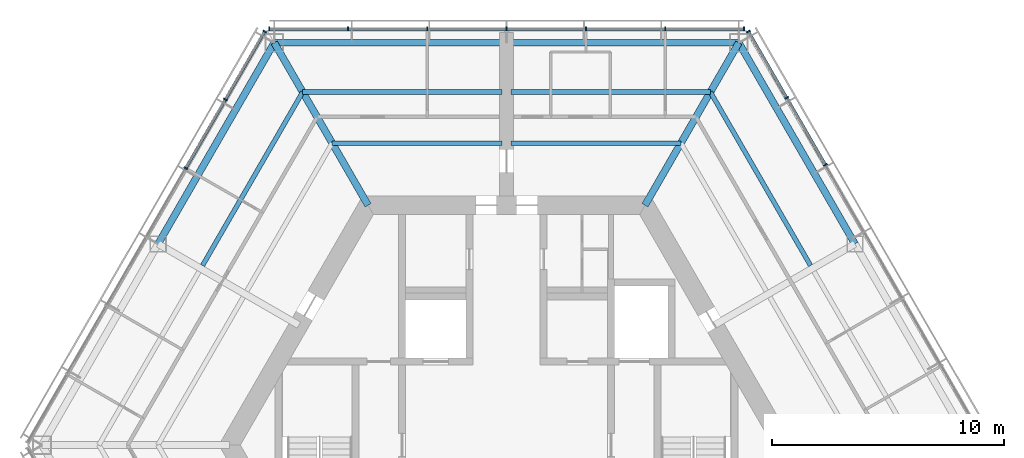
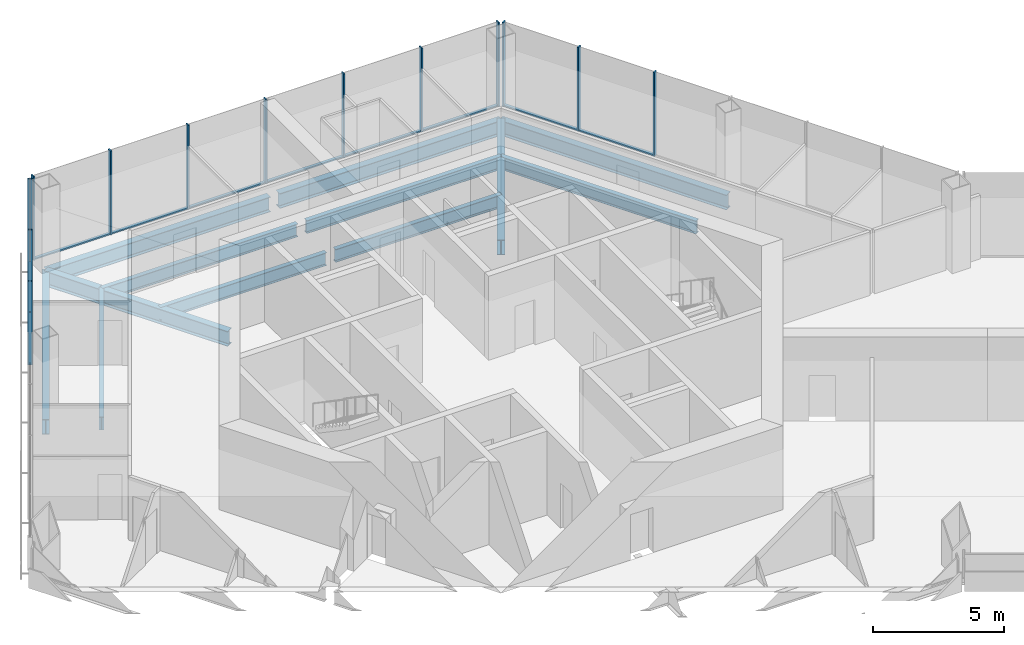
# One storey, part 5 of 13: 23 members, 12 beams, 3 elements without a shape of their own.
"""IFC4 building model written with IfcOpenShell, lengths in metres."""

from ifc_helpers import new_model, si_unit, direction, frame, origin, origin_2d, place, context, subcontext, project, spatial, rectangle, i_section, extrude, material, material_profile, profile_set, type_object, element, aggregate, save


model = new_model("IFC4")

# Units and contexts
model_context = context("Model", 3, precision=1e-05, world=origin(), true_north=direction((0.0, 1.0)))
body_context = subcontext(model_context, "Body", "Model", "MODEL_VIEW")
ifc_project = project(units=[si_unit("LENGTHUNIT", "METRE"), si_unit("AREAUNIT", "SQUARE_METRE"), si_unit("VOLUMEUNIT", "CUBIC_METRE"), si_unit("PLANEANGLEUNIT", "RADIAN"), si_unit("MASSUNIT", "GRAM", prefix="KILO")], contexts=[model_context])

# Site, building, storey
site_placement = place(None, origin())
site = spatial("IfcSite", under=ifc_project, at=site_placement, CompositionType="ELEMENT")
building_placement = place(site_placement, origin())
building = spatial("IfcBuilding", under=site, at=building_placement, Name="Kasaneha Research Tower", CompositionType="ELEMENT")
storey_placement = place(building_placement, frame((0.0, 0.0, 283.0)))
storey = spatial("IfcBuildingStorey", under=building, at=storey_placement, Name="L71", CompositionType="ELEMENT", Elevation=283.0)

# Beams
ifc_material_1 = material(Name="Steel SN490B", Category="steel")
ifc_material_profile_1 = material_profile(ifc_material_1, i_section(OverallWidth=0.199951171875, OverallDepth=0.60009765625, WebThickness=0.010986328125, FlangeThickness=0.01708984375, FilletRadius=0.012939453125, at=origin_2d()), Name="H-600x200x11x17")
ifc_profile_set_1 = profile_set([ifc_material_profile_1], Name="Steel SN490B")
beam_type_1 = type_object("IfcBeamType", Name="B1-3 secondary beam H-600x200x11x17", PredefinedType="JOIST", material=ifc_profile_set_1)
beam_1_placement = place(storey_placement, frame((8.775634765625, 15.199951171875, -0.449951171875), z_axis=(0.500017275495, -0.866015429543, 0.0), x_axis=(0.866015429543, 0.500017275495, 0.0)))
element("IfcBeam", 1, at=beam_1_placement, inside=storey, type_object=beam_type_1, Name="Secondary beam RS030R2 L71", PredefinedType="JOIST", context=body_context, shape_type="SweptSolid", body=[
    extrude(i_section(OverallWidth=0.199951171875, OverallDepth=0.60009765625, WebThickness=0.010986328125, FlangeThickness=0.01708984375, FilletRadius=0.012939453125, at=origin_2d()), origin(), (0.0, 0.0, 1.0), 8.625732421875),
])
beam_2_placement = place(storey_placement, frame((7.505615234375, 13.0, -0.449951171875), z_axis=(-1.0, 0.0, 0.0), x_axis=(0.0, -1.0, 0.0)))
element("IfcBeam", 2, at=beam_2_placement, inside=storey, type_object=beam_type_1, Name="Secondary beam RS090L1 L71", PredefinedType="JOIST", context=body_context, shape_type="SweptSolid", body=[
    extrude(i_section(OverallWidth=0.199951171875, OverallDepth=0.60009765625, WebThickness=0.010986328125, FlangeThickness=0.01708984375, FilletRadius=0.012939453125, at=origin_2d()), origin(), (0.0, 0.0, 1.0), 7.3056640625),
])
beam_3_placement = place(storey_placement, frame((8.775634765625, 15.199951171875, -0.449951171875), z_axis=(-1.0, 0.0, 0.0), x_axis=(0.0, -1.0, 0.0)))
element("IfcBeam", 3, at=beam_3_placement, inside=storey, type_object=beam_type_1, Name="Secondary beam RS090L2 L71", PredefinedType="JOIST", context=body_context, shape_type="SweptSolid", body=[
    extrude(i_section(OverallWidth=0.199951171875, OverallDepth=0.60009765625, WebThickness=0.010986328125, FlangeThickness=0.01708984375, FilletRadius=0.012939453125, at=origin_2d()), origin(), (0.0, 0.0, 1.0), 8.57568359375),
])
beam_4_placement = place(storey_placement, frame((-7.505615234375, 13.0, -0.449951171875), z_axis=(1.0, 0.0, 0.0), x_axis=(0.0, 1.0, 0.0)))
element("IfcBeam", 4, at=beam_4_placement, inside=storey, type_object=beam_type_1, Name="Secondary beam RS090R1 L71", PredefinedType="JOIST", context=body_context, shape_type="SweptSolid", body=[
    extrude(i_section(OverallWidth=0.199951171875, OverallDepth=0.60009765625, WebThickness=0.010986328125, FlangeThickness=0.01708984375, FilletRadius=0.012939453125, at=origin_2d()), origin(), (0.0, 0.0, 1.0), 7.3056640625),
])
beam_5_placement = place(storey_placement, frame((-8.775634765625, 15.199951171875, -0.449951171875), z_axis=(1.0, 0.0, 0.0), x_axis=(0.0, 1.0, 0.0)))
element("IfcBeam", 5, at=beam_5_placement, inside=storey, type_object=beam_type_1, Name="Secondary beam RS090R2 L71", PredefinedType="JOIST", context=body_context, shape_type="SweptSolid", body=[
    extrude(i_section(OverallWidth=0.199951171875, OverallDepth=0.60009765625, WebThickness=0.010986328125, FlangeThickness=0.01708984375, FilletRadius=0.012939453125, at=origin_2d()), origin(), (0.0, 0.0, 1.0), 8.57568359375),
])
beam_6_placement = place(storey_placement, frame((-8.775634765625, 15.199951171875, -0.449951171875), z_axis=(-0.500017275495, -0.866015429543, 0.0), x_axis=(0.866015429543, -0.500017275495, 0.0)))
element("IfcBeam", 6, at=beam_6_placement, inside=storey, type_object=beam_type_1, Name="Secondary beam RS150L2 L71", PredefinedType="JOIST", context=body_context, shape_type="SweptSolid", body=[
    extrude(i_section(OverallWidth=0.199951171875, OverallDepth=0.60009765625, WebThickness=0.010986328125, FlangeThickness=0.01708984375, FilletRadius=0.012939453125, at=origin_2d()), origin(), (0.0, 0.0, 1.0), 8.625732421875),
])

# Curtain wall, members
ifc_material_2 = material(Name="Glass and aluminium", Category="aluminium")
curtain_wall_type = type_object("IfcCurtainWallType", Name="Crown curtain wall", PredefinedType="USERDEFINED", material=ifc_material_2)
curtain_wall_1_placement = place(storey_placement, origin())
curtain_wall_1 = element("IfcCurtainWall", 7, at=curtain_wall_1_placement, inside=storey, type_object=curtain_wall_type, Name="CW-C L71 run 01a", ObjectType="UNITISED CURTAIN WALL", PredefinedType="USERDEFINED")
ifc_material_3 = material(Name="Aluminium 6063-T6", Category="aluminium")
ifc_material_profile_2 = material_profile(ifc_material_3, rectangle(XDim=0.06005859375, YDim=0.179931640625, at=origin_2d()), Name="CW-C mullion 60x180")
ifc_profile_set_2 = profile_set([ifc_material_profile_2], Name="Aluminium 6063-T6")
member_type_1 = type_object("IfcMemberType", Name="CW-C mullion", PredefinedType="MULLION", material=ifc_profile_set_2)
member_1_placement = place(storey_placement, frame((13.727294921875, 12.064453125, 0.0), z_axis=(0.0, 0.0, 1.0), x_axis=(-0.499999979232, 0.866025415775, 0.0)))
member_1 = element("IfcMember", 8, at=member_1_placement, type_object=member_type_1, Name="CW-C mullion 5", PredefinedType="MULLION", context=body_context, shape_type="SweptSolid", body=[
    extrude(rectangle(XDim=0.06005859375, YDim=0.179931640625, at=origin_2d()), origin(), (0.0, 0.0, 1.0), 3.89990234375),
])
member_2_placement = place(storey_placement, frame((12.061767578125, 14.94921875, 0.0), z_axis=(0.0, 0.0, 1.0), x_axis=(-0.499999979232, 0.866025415775, 0.0)))
member_2 = element("IfcMember", 9, at=member_2_placement, type_object=member_type_1, Name="CW-C mullion 6", PredefinedType="MULLION", context=body_context, shape_type="SweptSolid", body=[
    extrude(rectangle(XDim=0.06005859375, YDim=0.179931640625, at=origin_2d()), origin(), (0.0, 0.0, 1.0), 3.89990234375),
])
member_3_placement = place(storey_placement, frame((10.411376953125, 17.807861328125, 0.0), z_axis=(0.0, 0.0, 1.0), x_axis=(-0.499999979232, 0.866025415775, 0.0)))
member_3 = element("IfcMember", 10, at=member_3_placement, type_object=member_type_1, Name="CW-C mullion 7", PredefinedType="MULLION", context=body_context, shape_type="SweptSolid", body=[
    extrude(rectangle(XDim=0.06005859375, YDim=0.179931640625, at=origin_2d()), origin(), (0.0, 0.0, 1.0), 3.89990234375),
])

curtain_wall_2_placement = place(storey_placement, origin())
curtain_wall_2 = element("IfcCurtainWall", 11, at=curtain_wall_2_placement, inside=storey, type_object=curtain_wall_type, Name="CW-C L71 run 02a", ObjectType="UNITISED CURTAIN WALL", PredefinedType="USERDEFINED")
member_4_placement = place(storey_placement, frame((10.21630859375, 17.92041015625, 0.0), z_axis=(0.0, 0.0, 1.0), x_axis=(-1.0, 0.0, 0.0)))
member_4 = element("IfcMember", 12, at=member_4_placement, type_object=member_type_1, Name="CW-C mullion 1", PredefinedType="MULLION", context=body_context, shape_type="SweptSolid", body=[
    extrude(rectangle(XDim=0.06005859375, YDim=0.179931640625, at=origin_2d()), origin(), (0.0, 0.0, 1.0), 3.89990234375),
])
member_5_placement = place(storey_placement, frame((6.8310546875, 17.92041015625, 0.0), z_axis=(0.0, 0.0, 1.0), x_axis=(-1.0, 0.0, 0.0)))
member_5 = element("IfcMember", 13, at=member_5_placement, type_object=member_type_1, Name="CW-C mullion 2", PredefinedType="MULLION", context=body_context, shape_type="SweptSolid", body=[
    extrude(rectangle(XDim=0.06005859375, YDim=0.179931640625, at=origin_2d()), origin(), (0.0, 0.0, 1.0), 3.89990234375),
])
member_6_placement = place(storey_placement, frame((3.41552734375, 17.92041015625, 0.0), z_axis=(0.0, 0.0, 1.0), x_axis=(-1.0, 0.0, 0.0)))
member_6 = element("IfcMember", 14, at=member_6_placement, type_object=member_type_1, Name="CW-C mullion 3", PredefinedType="MULLION", context=body_context, shape_type="SweptSolid", body=[
    extrude(rectangle(XDim=0.06005859375, YDim=0.179931640625, at=origin_2d()), origin(), (0.0, 0.0, 1.0), 3.89990234375),
])
member_7_placement = place(storey_placement, frame((0.0, 17.92041015625, 0.0), z_axis=(0.0, 0.0, 1.0), x_axis=(-1.0, 0.0, 0.0)))
member_7 = element("IfcMember", 15, at=member_7_placement, type_object=member_type_1, Name="CW-C mullion 4", PredefinedType="MULLION", context=body_context, shape_type="SweptSolid", body=[
    extrude(rectangle(XDim=0.06005859375, YDim=0.179931640625, at=origin_2d()), origin(), (0.0, 0.0, 1.0), 3.89990234375),
])
member_8_placement = place(storey_placement, frame((-3.41552734375, 17.92041015625, 0.0), z_axis=(0.0, 0.0, 1.0), x_axis=(-1.0, 0.0, 0.0)))
member_8 = element("IfcMember", 16, at=member_8_placement, type_object=member_type_1, Name="CW-C mullion 5", PredefinedType="MULLION", context=body_context, shape_type="SweptSolid", body=[
    extrude(rectangle(XDim=0.06005859375, YDim=0.179931640625, at=origin_2d()), origin(), (0.0, 0.0, 1.0), 3.89990234375),
])
member_9_placement = place(storey_placement, frame((-6.8310546875, 17.92041015625, 0.0), z_axis=(0.0, 0.0, 1.0), x_axis=(-1.0, 0.0, 0.0)))
member_9 = element("IfcMember", 17, at=member_9_placement, type_object=member_type_1, Name="CW-C mullion 6", PredefinedType="MULLION", context=body_context, shape_type="SweptSolid", body=[
    extrude(rectangle(XDim=0.06005859375, YDim=0.179931640625, at=origin_2d()), origin(), (0.0, 0.0, 1.0), 3.89990234375),
])
member_10_placement = place(storey_placement, frame((-10.21630859375, 17.92041015625, 0.0), z_axis=(0.0, 0.0, 1.0), x_axis=(-1.0, 0.0, 0.0)))
member_10 = element("IfcMember", 18, at=member_10_placement, type_object=member_type_1, Name="CW-C mullion 7", PredefinedType="MULLION", context=body_context, shape_type="SweptSolid", body=[
    extrude(rectangle(XDim=0.06005859375, YDim=0.179931640625, at=origin_2d()), origin(), (0.0, 0.0, 1.0), 3.89990234375),
])

curtain_wall_3_placement = place(storey_placement, origin())
curtain_wall_3 = element("IfcCurtainWall", 19, at=curtain_wall_3_placement, inside=storey, type_object=curtain_wall_type, Name="CW-C L71 run 03a", ObjectType="UNITISED CURTAIN WALL", PredefinedType="USERDEFINED")
member_11_placement = place(storey_placement, frame((-10.411376953125, 17.807861328125, 0.0), z_axis=(0.0, 0.0, 1.0), x_axis=(-0.499999995722, -0.866025406254, 0.0)))
member_11 = element("IfcMember", 20, at=member_11_placement, type_object=member_type_1, Name="CW-C mullion 1", PredefinedType="MULLION", context=body_context, shape_type="SweptSolid", body=[
    extrude(rectangle(XDim=0.06005859375, YDim=0.179931640625, at=origin_2d()), origin(), (0.0, 0.0, 1.0), 3.89990234375),
])
member_12_placement = place(storey_placement, frame((-12.104248046875, 14.8759765625, 0.0), z_axis=(0.0, 0.0, 1.0), x_axis=(-0.499999995722, -0.866025406254, 0.0)))
member_12 = element("IfcMember", 21, at=member_12_placement, type_object=member_type_1, Name="CW-C mullion 2", PredefinedType="MULLION", context=body_context, shape_type="SweptSolid", body=[
    extrude(rectangle(XDim=0.06005859375, YDim=0.179931640625, at=origin_2d()), origin(), (0.0, 0.0, 1.0), 3.89990234375),
])
member_13_placement = place(storey_placement, frame((-13.811767578125, 11.918212890625, 0.0), z_axis=(0.0, 0.0, 1.0), x_axis=(-0.499999995722, -0.866025406254, 0.0)))
member_13 = element("IfcMember", 22, at=member_13_placement, type_object=member_type_1, Name="CW-C mullion 3", PredefinedType="MULLION", context=body_context, shape_type="SweptSolid", body=[
    extrude(rectangle(XDim=0.06005859375, YDim=0.179931640625, at=origin_2d()), origin(), (0.0, 0.0, 1.0), 3.89990234375),
])

# Member
ifc_material_4 = material(Name="Aluminium 6063-T6", Category="aluminium")
ifc_material_profile_3 = material_profile(ifc_material_4, rectangle(XDim=0.1298828125, YDim=0.06005859375, at=origin_2d()), Name="CW-C transom 130x60")
ifc_profile_set_3 = profile_set([ifc_material_profile_3], Name="Aluminium 6063-T6")
member_type_2 = type_object("IfcMemberType", Name="CW-C transom", PredefinedType="USERDEFINED", material=ifc_profile_set_3)
member_14_placement = place(storey_placement, frame((13.71240234375, 12.090576171875, 0.030029296875), z_axis=(-0.500000270186, 0.866025247793, 0.0), x_axis=(-0.866025247793, -0.500000270186, 0.0)))
member_14 = element("IfcMember", 23, at=member_14_placement, type_object=member_type_2, Name="CW-C transom 5", ObjectType="TRANSOM", PredefinedType="USERDEFINED", context=body_context, shape_type="SweptSolid", body=[
    extrude(rectangle(XDim=0.1298828125, YDim=0.06005859375, at=origin_2d()), origin(), (0.0, 0.0, 1.0), 3.27099609375),
])

member_15_placement = place(storey_placement, frame((12.046875, 14.97509765625, 0.030029296875), z_axis=(-0.499955025697, 0.866051368154, 0.0), x_axis=(-0.866051368154, -0.499955025697, 0.0)))
member_15 = element("IfcMember", 24, at=member_15_placement, type_object=member_type_2, Name="CW-C transom 6", ObjectType="TRANSOM", PredefinedType="USERDEFINED", context=body_context, shape_type="SweptSolid", body=[
    extrude(rectangle(XDim=0.1298828125, YDim=0.06005859375, at=origin_2d()), origin(), (0.0, 0.0, 1.0), 3.240966796875),
])

aggregate(curtain_wall_1, [member_1, member_2, member_3, member_14, member_15])

member_16_placement = place(storey_placement, frame((10.1865234375, 17.92041015625, 0.030029296875), z_axis=(-1.0, 0.0, 0.0), x_axis=(0.0, -1.0, 0.0)))
member_16 = element("IfcMember", 25, at=member_16_placement, type_object=member_type_2, Name="CW-C transom 1", ObjectType="TRANSOM", PredefinedType="USERDEFINED", context=body_context, shape_type="SweptSolid", body=[
    extrude(rectangle(XDim=0.1298828125, YDim=0.06005859375, at=origin_2d()), origin(), (0.0, 0.0, 1.0), 3.32568359375),
])

member_17_placement = place(storey_placement, frame((6.801025390625, 17.92041015625, 0.030029296875), z_axis=(-1.0, 0.0, 0.0), x_axis=(0.0, -1.0, 0.0)))
member_17 = element("IfcMember", 26, at=member_17_placement, type_object=member_type_2, Name="CW-C transom 2", ObjectType="TRANSOM", PredefinedType="USERDEFINED", context=body_context, shape_type="SweptSolid", body=[
    extrude(rectangle(XDim=0.1298828125, YDim=0.06005859375, at=origin_2d()), origin(), (0.0, 0.0, 1.0), 3.35546875),
])

member_18_placement = place(storey_placement, frame((3.385498046875, 17.92041015625, 0.030029296875), z_axis=(-1.0, 0.0, 0.0), x_axis=(0.0, -1.0, 0.0)))
member_18 = element("IfcMember", 27, at=member_18_placement, type_object=member_type_2, Name="CW-C transom 3", ObjectType="TRANSOM", PredefinedType="USERDEFINED", context=body_context, shape_type="SweptSolid", body=[
    extrude(rectangle(XDim=0.1298828125, YDim=0.06005859375, at=origin_2d()), origin(), (0.0, 0.0, 1.0), 3.35546875),
])

member_19_placement = place(storey_placement, frame((-0.030029296875, 17.92041015625, 0.030029296875), z_axis=(-1.0, 0.0, 0.0), x_axis=(0.0, -1.0, 0.0)))
member_19 = element("IfcMember", 28, at=member_19_placement, type_object=member_type_2, Name="CW-C transom 4", ObjectType="TRANSOM", PredefinedType="USERDEFINED", context=body_context, shape_type="SweptSolid", body=[
    extrude(rectangle(XDim=0.1298828125, YDim=0.06005859375, at=origin_2d()), origin(), (0.0, 0.0, 1.0), 3.35546875),
])

member_20_placement = place(storey_placement, frame((-3.445556640625, 17.92041015625, 0.030029296875), z_axis=(-1.0, 0.0, 0.0), x_axis=(0.0, -1.0, 0.0)))
member_20 = element("IfcMember", 29, at=member_20_placement, type_object=member_type_2, Name="CW-C transom 5", ObjectType="TRANSOM", PredefinedType="USERDEFINED", context=body_context, shape_type="SweptSolid", body=[
    extrude(rectangle(XDim=0.1298828125, YDim=0.06005859375, at=origin_2d()), origin(), (0.0, 0.0, 1.0), 3.35546875),
])

member_21_placement = place(storey_placement, frame((-6.86083984375, 17.92041015625, 0.030029296875), z_axis=(-1.0, 0.0, 0.0), x_axis=(0.0, -1.0, 0.0)))
member_21 = element("IfcMember", 30, at=member_21_placement, type_object=member_type_2, Name="CW-C transom 6", ObjectType="TRANSOM", PredefinedType="USERDEFINED", context=body_context, shape_type="SweptSolid", body=[
    extrude(rectangle(XDim=0.1298828125, YDim=0.06005859375, at=origin_2d()), origin(), (0.0, 0.0, 1.0), 3.32568359375),
])

aggregate(curtain_wall_2, [member_4, member_5, member_6, member_7, member_8, member_9, member_10, member_16, member_17, member_18, member_19, member_20, member_21])

member_22_placement = place(storey_placement, frame((-10.426513671875, 17.781982421875, 0.030029296875), z_axis=(-0.49997666526, -0.866038875684, 0.0), x_axis=(0.866038875684, -0.49997666526, 0.0)))
member_22 = element("IfcMember", 31, at=member_22_placement, type_object=member_type_2, Name="CW-C transom 1", ObjectType="TRANSOM", PredefinedType="USERDEFINED", context=body_context, shape_type="SweptSolid", body=[
    extrude(rectangle(XDim=0.1298828125, YDim=0.06005859375, at=origin_2d()), origin(), (0.0, 0.0, 1.0), 3.325439453125),
])

member_23_placement = place(storey_placement, frame((-12.119140625, 14.85009765625, 0.030029296875), z_axis=(-0.499989072476, -0.866031712701, 0.0), x_axis=(0.866031712701, -0.499989072476, 0.0)))
member_23 = element("IfcMember", 32, at=member_23_placement, type_object=member_type_2, Name="CW-C transom 2", ObjectType="TRANSOM", PredefinedType="USERDEFINED", context=body_context, shape_type="SweptSolid", body=[
    extrude(rectangle(XDim=0.1298828125, YDim=0.06005859375, at=origin_2d()), origin(), (0.0, 0.0, 1.0), 3.35546875),
])

aggregate(curtain_wall_3, [member_11, member_12, member_13, member_22, member_23])

# Beams
ifc_material_5 = material(Name="Steel SN490B", Category="steel")
ifc_material_profile_4 = material_profile(ifc_material_5, i_section(OverallWidth=0.300048828125, OverallDepth=0.699951171875, WebThickness=0.012939453125, FlangeThickness=0.02392578125, FilletRadius=0.01806640625, at=origin_2d()), Name="H-700x300x13x24")
ifc_profile_set_4 = profile_set([ifc_material_profile_4], Name="Steel SN490B")
beam_type_2 = type_object("IfcBeamType", Name="G1-3 radial girder H-700x300x13x24", PredefinedType="BEAM", material=ifc_profile_set_4)
for number, where, z_axis, x_axis, name in (
    (33, (5.961181640625, 10.324951171875, -0.5), (0.49999105496, 0.866030568144, 0.0), (-0.866030568144, 0.49999105496, 0.0), "Radial girder RV060 L71"),
    (34, (-5.961181640625, 10.324951171875, -0.5), (-0.49999105496, 0.866030568144, 0.0), (-0.866030568144, -0.49999105496, 0.0), "Radial girder RV120 L71"),
):
    element("IfcBeam", number, at=place(storey_placement, frame(where, z_axis=z_axis, x_axis=x_axis)), inside=storey, type_object=beam_type_2, Name=name, PredefinedType="BEAM", context=body_context, shape_type="SweptSolid", body=[
        extrude(i_section(OverallWidth=0.300048828125, OverallDepth=0.699951171875, WebThickness=0.012939453125, FlangeThickness=0.02392578125, FilletRadius=0.01806640625, at=origin_2d()), origin(), (0.0, 0.0, 1.0), 8.077880859375),
    ])
ifc_material_6 = material(Name="Steel SN490B", Category="steel")
ifc_material_profile_5 = material_profile(ifc_material_6, i_section(OverallWidth=0.300048828125, OverallDepth=0.69189453125, WebThickness=0.012939453125, FlangeThickness=0.02001953125, FilletRadius=0.01806640625, at=origin_2d()), Name="H-692x300x13x20")
ifc_profile_set_5 = profile_set([ifc_material_profile_5], Name="Steel SN490B")
beam_type_3 = type_object("IfcBeamType", Name="G3-3 plate edge girder H-692x300x13x20", PredefinedType="BEAM", material=ifc_profile_set_5)
for number, where, z_axis, x_axis, name in (
    (35, (10.0, 17.320556640625, -0.49609375), (-1.0, 0.0, 0.0), (0.0, -1.0, 0.0), "Plate edge girder PEAP L71"),
    (36, (-10.0, 17.320556640625, -0.49609375), (1.0, 0.0, 0.0), (0.0, 1.0, 0.0), "Plate edge girder PEAN L71"),
):
    element("IfcBeam", number, at=place(storey_placement, frame(where, z_axis=z_axis, x_axis=x_axis)), inside=storey, type_object=beam_type_3, Name=name, PredefinedType="BEAM", context=body_context, shape_type="SweptSolid", body=[
        extrude(i_section(OverallWidth=0.300048828125, OverallDepth=0.69189453125, WebThickness=0.012939453125, FlangeThickness=0.02001953125, FilletRadius=0.01806640625, at=origin_2d()), origin(), (0.0, 0.0, 1.0), 9.800048828125),
    ])
ifc_material_7 = material(Name="Steel SN490B", Category="steel")
ifc_material_profile_6 = material_profile(ifc_material_7, i_section(OverallWidth=0.300048828125, OverallDepth=0.69189453125, WebThickness=0.012939453125, FlangeThickness=0.02001953125, FilletRadius=0.01806640625, at=origin_2d()), Name="H-692x300x13x20")
ifc_profile_set_6 = profile_set([ifc_material_profile_6], Name="Steel SN490B")
beam_type_4 = type_object("IfcBeamType", Name="SB1-3 spandrel beam H-692x300x13x20", PredefinedType="SPANDREL", material=ifc_profile_set_6)
for number, where, z_axis, x_axis, name in (
    (37, (10.0, 17.320556640625, -0.49609375), (0.499993662806, -0.866029062534, 0.0), (0.866029062534, 0.499993662806, 0.0), "Spandrel beam SR030R L71"),
    (38, (-10.0, 17.320556640625, -0.49609375), (-0.499993662806, -0.866029062534, 0.0), (0.866029062534, -0.499993662806, 0.0), "Spandrel beam SR150L L71"),
):
    element("IfcBeam", number, at=place(storey_placement, frame(where, z_axis=z_axis, x_axis=x_axis)), inside=storey, type_object=beam_type_4, Name=name, PredefinedType="SPANDREL", context=body_context, shape_type="SweptSolid", body=[
        extrude(i_section(OverallWidth=0.300048828125, OverallDepth=0.69189453125, WebThickness=0.012939453125, FlangeThickness=0.02001953125, FilletRadius=0.01806640625, at=origin_2d()), origin(), (0.0, 0.0, 1.0), 10.000244140625),
    ])

save(model, "model.ifc")
